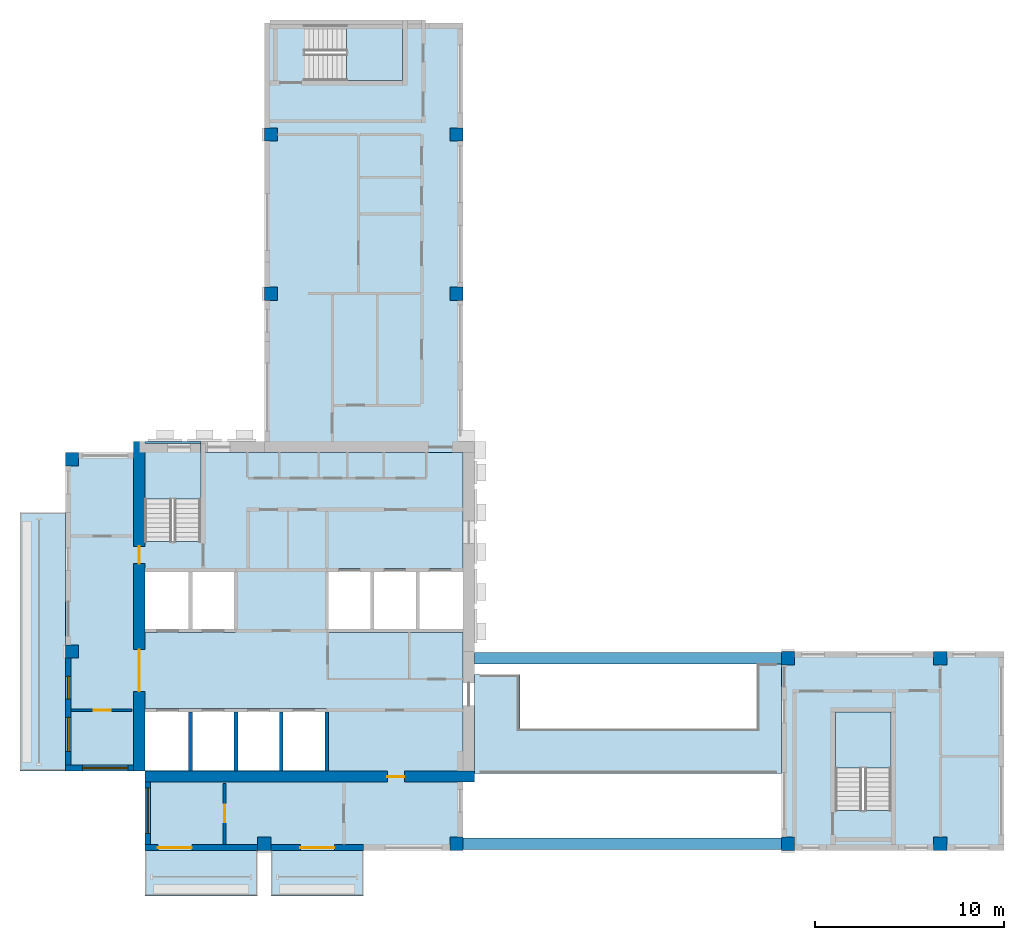
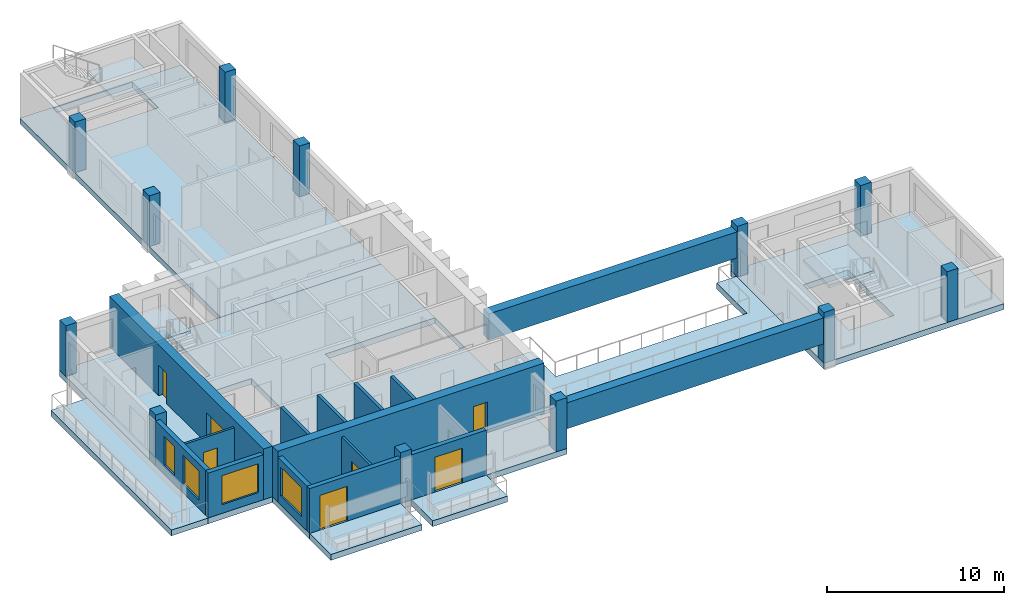
# One storey, part 1 of 9: 13 walls, 12 columns, 11 slabs, 7 doors, 4 windows, 2 beams, 11 openings, 3 elements without a shape of their own.
"""IFC4 building model written with IfcOpenShell, lengths in metres."""

from ifc_helpers import new_model, si_unit, direction, frame, frame_2d, origin, origin_2d, place, context, subcontext, project, spatial, polyline, rectangle, outline, extrude, source, transform, mapped, material, layer, layer_set, material_profile, profile_set, type_object, element, fill, aggregate, save


model = new_model("IFC4")

# Units and contexts
model_context = context("Model", 3, precision=1e-05, world=origin(), true_north=direction((0.0, 1.0)))
body_context = subcontext(model_context, "Body", "Model", "MODEL_VIEW")
ifc_project = project(units=[si_unit("LENGTHUNIT", "METRE"), si_unit("AREAUNIT", "SQUARE_METRE"), si_unit("VOLUMEUNIT", "CUBIC_METRE"), si_unit("PLANEANGLEUNIT", "RADIAN"), si_unit("MASSUNIT", "GRAM", prefix="KILO")], contexts=[model_context])

# Site, building, storey
site_placement = place(None, origin())
site = spatial("IfcSite", under=ifc_project, at=site_placement, CompositionType="ELEMENT")
building_placement = place(site_placement, origin())
building = spatial("IfcBuilding", under=site, at=building_placement, Name="Aurelian Terraces", CompositionType="ELEMENT")
storey_placement = place(building_placement, frame((0.0, 0.0, 305.5)))
storey = spatial("IfcBuildingStorey", under=building, at=storey_placement, Name="L70", CompositionType="ELEMENT", Elevation=305.5)

# Columns
ifc_material_1 = material(Name="Concrete fc' 55 MPa", Category="concrete")
ifc_material_profile_1 = material_profile(ifc_material_1, rectangle(XDim=0.7, YDim=0.7, at=origin_2d()))
ifc_profile_set_1 = profile_set([ifc_material_profile_1], Name="Concrete fc' 55 MPa")
column_type = type_object("IfcColumnType", Name="RC COLUMN 700X700 FC55", PredefinedType="COLUMN", material=ifc_profile_set_1)
shared_shape_1 = source(origin(), body_context, "Body", "SweptSolid", [
    extrude(rectangle(XDim=0.7, YDim=0.7, at=origin_2d()), origin(), (0.0, 0.0, 1.0), 3.5),
])
for number, where, z_axis, x_axis, name in (
    (1, (10.5, 0.35, 0.0), (0.0, 0.0, 1.0), (1.0, 0.0, 0.0), "Column 2/A L70"),
    (2, (20.65, 0.35, 0.0), (0.0, 0.0, 1.0), (1.0, 0.0, 0.0), "Column 3/A L70"),
    (3, (38.15, 0.35, 0.0), (0.0, 0.0, 1.0), (1.0, 0.0, 0.0), "Column 5/A L70"),
    (4, (46.2, 0.35, 0.0), (0.0, 0.0, 1.0), (1.0, 0.0, 0.0), "Column 6/A L70"),
    (5, (0.35, 10.5, 0.0), (0.0, 0.0, 1.0), (1.0, 0.0, 0.0), "Column 1/B L70"),
    (6, (38.15, 10.15, 0.0), (0.0, 0.0, 1.0), (1.0, 0.0, 0.0), "Column 5/B L70"),
    (7, (46.2, 10.15, 0.0), (0.0, 0.0, 1.0), (1.0, 0.0, 0.0), "Column 6/B L70"),
    (8, (0.35, 20.65, 0.0), (0.0, 0.0, 1.0), (1.0, 0.0, 0.0), "Column 1/C L70"),
    (9, (10.85, 29.4, 0.0), (0.0, 0.0, 1.0), (1.0, 0.0, 0.0), "Column 2/D L70"),
    (10, (20.65, 29.4, 0.0), (0.0, 0.0, 1.0), (1.0, 0.0, 0.0), "Column 3/D L70"),
    (11, (10.85, 37.8, 0.0), (0.0, 0.0, 1.0), (1.0, 0.0, 0.0), "Column 2/E L70"),
    (12, (20.65, 37.8, 0.0), (0.0, 0.0, 1.0), (1.0, 0.0, 0.0), "Column 3/E L70"),
):
    element("IfcColumn", number, at=place(storey_placement, frame(where, z_axis=z_axis, x_axis=x_axis)), inside=storey, type_object=column_type, Name=name, PredefinedType="COLUMN", context=body_context, shape_type="MappedRepresentation", body=[
        mapped(shared_shape_1, transform((0.0, 0.0, 0.0), scale=1.0)),
    ])

# Beams
ifc_material_2 = material(Name="Concrete fc' 70 MPa", Category="concrete")
ifc_material_profile_2 = material_profile(ifc_material_2, rectangle(XDim=0.6, YDim=1.8, at=origin_2d()))
ifc_profile_set_2 = profile_set([ifc_material_profile_2], Name="Concrete fc' 70 MPa")
beam_type = type_object("IfcBeamType", Name="CONCRETE HEAD GIRDER 600X1800", PredefinedType="BEAM", material=ifc_profile_set_2)
shared_shape_2 = source(origin(), body_context, "Body", "SweptSolid", [
    extrude(rectangle(XDim=0.6, YDim=1.8, at=origin_2d()), origin(), (0.0, 0.0, 1.0), 16.8),
])
beam_1_placement = place(storey_placement, frame((21.0, 0.35, 2.2), z_axis=(1.0, 0.0, 0.0), x_axis=(0.0, 1.0, 0.0)))
element("IfcBeam", 13, at=beam_1_placement, inside=storey, type_object=beam_type, Name="Sky terrace head girder BLADE-S.1", PredefinedType="BEAM", context=body_context, shape_type="MappedRepresentation", body=[
    mapped(shared_shape_2, transform((0.0, 0.0, 0.0), scale=1.0)),
])
shared_shape_3 = source(origin(), body_context, "Body", "SweptSolid", [
    extrude(rectangle(XDim=0.6, YDim=1.8, at=origin_2d()), origin(), (0.0, 0.0, 1.0), 16.2),
])
beam_2_placement = place(storey_placement, frame((21.6, 10.15, 2.2), z_axis=(1.0, 0.0, 0.0), x_axis=(0.0, 1.0, 0.0)))
element("IfcBeam", 14, at=beam_2_placement, inside=storey, type_object=beam_type, Name="Sky terrace head girder BLADE-S.2", PredefinedType="BEAM", context=body_context, shape_type="MappedRepresentation", body=[
    mapped(shared_shape_3, transform((0.0, 0.0, 0.0), scale=1.0)),
])

# Slabs
ifc_material_3 = material(Name="Concrete fc' 40 MPa", Category="concrete")
ifc_layer_1 = layer(ifc_material_3, 0.4001)
ifc_layer_set_1 = layer_set([ifc_layer_1], Name="Terrace slab 400")
slab_type_1 = type_object("IfcSlabType", Name="Terrace slab 400", PredefinedType="NOTDEFINED", material=ifc_layer_set_1)
slab_1_placement = place(storey_placement, frame((0.0, 0.0, -0.4001)))
element("IfcSlab", 15, at=slab_1_placement, inside=storey, type_object=slab_type_1, Name="Sky bridge L70 BLADE-S-B70", PredefinedType="NOTDEFINED", context=body_context, shape_type="SweptSolid", body=[
    extrude(outline(polyline([(37.8, 4.05), (36.5, 4.05), (24.0, 4.05), (21.6, 4.05), (21.6, 6.45), (21.6, 9.3), (24.0, 9.3), (24.0, 6.45), (36.5, 6.45), (36.5, 9.9), (37.8, 9.9), (37.8, 6.45), (37.8, 4.05)])), origin(), (0.0, 0.0, 1.0), 0.4001),
])
ifc_layer_2 = layer(ifc_material_3, 0.4)
ifc_layer_set_2 = layer_set([ifc_layer_2], Name="PT FLAT PLATE 400")
slab_type_2 = type_object("IfcSlabType", Name="PT FLAT PLATE 400", PredefinedType="FLOOR", material=ifc_layer_set_2)
shared_shape_4 = source(origin(), body_context, "Body", "SweptSolid", [
    extrude(outline(polyline([(10.5, 43.68), (14.7, 43.68), (16.8, 43.68), (21.0, 43.68), (21.0, 21.0), (10.5, 21.0), (10.5, 43.68)]), holes=[polyline([(17.79, 43.59), (12.61, 43.59), (12.61, 40.66), (17.79, 40.66), (17.79, 43.59)])]), origin(), (0.0, 0.0, 1.0), 0.4),
])
slab_2_placement = place(storey_placement, frame((0.0, 0.0, -0.4)))
element("IfcSlab", 16, at=slab_2_placement, inside=storey, type_object=slab_type_2, Name="Floor slab W L70", PredefinedType="FLOOR", context=body_context, shape_type="MappedRepresentation", body=[
    mapped(shared_shape_4, transform((0.0, 0.0, 0.0), scale=1.0)),
])
shared_shape_5 = source(origin(), body_context, "Body", "SweptSolid", [
    extrude(outline(polyline([(4.2, 21.0), (4.2, 21.6), (7.15, 21.6), (7.15, 21.0), (7.14, 21.0), (7.14, 21.49), (4.21, 21.49), (4.21, 21.0), (4.2, 21.0)])), origin(), (0.0, 0.0, 1.0), 0.4),
])
slab_3_placement = place(storey_placement, frame((0.0, 0.0, -0.4)))
element("IfcSlab", 17, at=slab_3_placement, inside=storey, type_object=slab_type_2, Name="Floor slab W2 L70", PredefinedType="FLOOR", context=body_context, shape_type="MappedRepresentation", body=[
    mapped(shared_shape_5, transform((0.0, 0.0, 0.0), scale=1.0)),
])
shared_shape_6 = source(origin(), body_context, "Body", "SweptSolid", [
    extrude(outline(polyline([(4.2, 4.2), (0.0, 4.2), (0.0, 10.5), (0.0, 21.0), (4.21, 21.0), (4.21, 16.31), (7.14, 16.31), (7.14, 21.0), (21.0, 21.0), (21.0, 10.5), (21.0, 0.0), (4.2, 0.0), (4.2, 4.2)]), holes=[polyline([(13.81, 14.89), (13.81, 11.51), (20.99, 11.51), (20.99, 14.89), (13.81, 14.89)]), polyline([(4.21, 7.49), (4.21, 4.21), (13.79, 4.21), (13.79, 7.49), (4.21, 7.49)]), polyline([(8.99, 11.51), (8.99, 14.89), (4.21, 14.89), (4.21, 11.51), (8.99, 11.51)])]), origin(), (0.0, 0.0, 1.0), 0.4),
])
slab_4_placement = place(storey_placement, frame((0.0, 0.0, -0.4)))
element("IfcSlab", 18, at=slab_4_placement, inside=storey, type_object=slab_type_2, Name="Floor slab S L70", PredefinedType="FLOOR", context=body_context, shape_type="MappedRepresentation", body=[
    mapped(shared_shape_6, transform((0.0, 0.0, 0.0), scale=1.0)),
])
shared_shape_7 = source(origin(), body_context, "Body", "SweptSolid", [
    extrude(outline(polyline([(37.8, 10.5), (49.56, 10.5), (49.56, 6.3), (49.56, 4.2), (49.56, 0.0), (37.8, 0.0), (37.8, 10.5)]), holes=[polyline([(40.66, 2.11), (43.59, 2.11), (43.59, 7.29), (40.66, 7.29), (40.66, 2.11)])]), origin(), (0.0, 0.0, 1.0), 0.4),
])
slab_5_placement = place(storey_placement, frame((0.0, 0.0, -0.4)))
element("IfcSlab", 19, at=slab_5_placement, inside=storey, type_object=slab_type_2, Name="Floor slab S2 L70", PredefinedType="FLOOR", context=body_context, shape_type="MappedRepresentation", body=[
    mapped(shared_shape_7, transform((0.0, 0.0, 0.0), scale=1.0)),
])
ifc_layer_3 = layer(ifc_material_3, 0.4)
ifc_layer_set_3 = layer_set([ifc_layer_3], Name="Balcony slab 400")
slab_type_3 = type_object("IfcSlabType", Name="Balcony slab 400", PredefinedType="NOTDEFINED", material=ifc_layer_set_3)
shared_shape_8 = source(origin(), body_context, "Body", "SweptSolid", [
    extrude(outline(polyline([(0.0, 17.85), (0.0, 4.2), (-2.4, 4.2), (-2.4, 17.85), (0.0, 17.85)])), origin(), (0.0, 0.0, 1.0), 0.4),
])
slab_6_placement = place(storey_placement, frame((0.0, 0.0, -0.4)))
element("IfcSlab", 20, at=slab_6_placement, inside=storey, type_object=slab_type_3, Name="Balcony slab L70 F10.20", PredefinedType="NOTDEFINED", context=body_context, shape_type="MappedRepresentation", body=[
    mapped(shared_shape_8, transform((0.0, 0.0, 0.0), scale=1.0)),
])
shared_shape_9 = source(origin(), body_context, "Body", "SweptSolid", [
    extrude(outline(polyline([(4.2, 0.0), (10.15, 0.0), (10.15, -2.4), (4.2, -2.4), (4.2, 0.0)])), origin(), (0.0, 0.0, 1.0), 0.4),
])
slab_7_placement = place(storey_placement, frame((0.0, 0.0, -0.4)))
element("IfcSlab", 21, at=slab_7_placement, inside=storey, type_object=slab_type_3, Name="Balcony slab L70 F01.1", PredefinedType="NOTDEFINED", context=body_context, shape_type="MappedRepresentation", body=[
    mapped(shared_shape_9, transform((0.0, 0.0, 0.0), scale=1.0)),
])
shared_shape_10 = source(origin(), body_context, "Body", "SweptSolid", [
    extrude(outline(polyline([(10.85, 0.0), (15.75, 0.0), (15.75, -2.4), (10.85, -2.4), (10.85, 0.0)])), origin(), (0.0, 0.0, 1.0), 0.4),
])
slab_8_placement = place(storey_placement, frame((0.0, 0.0, -0.4)))
element("IfcSlab", 22, at=slab_8_placement, inside=storey, type_object=slab_type_3, Name="Balcony slab L70 F01.2", PredefinedType="NOTDEFINED", context=body_context, shape_type="MappedRepresentation", body=[
    mapped(shared_shape_10, transform((0.0, 0.0, 0.0), scale=1.0)),
])

# Stair, slab
stair_type = type_object("IfcStairType", Name="Stair 1400", PredefinedType="HALF_TURN_STAIR", material=ifc_material_3)
stair_1_placement = place(storey_placement, origin())
stair_1 = element("IfcStair", 23, at=stair_1_placement, inside=storey, type_object=stair_type, Name="L70 S1", PredefinedType="HALF_TURN_STAIR")
ifc_layer_4 = layer(ifc_material_3, 0.2)
ifc_layer_set_4 = layer_set([ifc_layer_4], Name="Stair landing 200")
slab_type_4 = type_object("IfcSlabType", Name="Stair landing 200", PredefinedType="LANDING", material=ifc_layer_set_4)
shared_shape_11 = source(origin(), body_context, "Body", "SweptSolid", [
    extrude(outline(polyline([(7.15, 18.55), (7.15, 21.5), (4.2, 21.5), (4.2, 18.55), (7.15, 18.55)])), origin(), (0.0, 0.0, 1.0), 0.2),
])
slab_9_placement = place(storey_placement, frame((0.0, 0.0, 1.55)))
slab_9 = element("IfcSlab", 24, at=slab_9_placement, type_object=slab_type_4, Name="S1 landing 1", PredefinedType="LANDING", context=body_context, shape_type="MappedRepresentation", body=[
    mapped(shared_shape_11, transform((0.0, 0.0, 0.0), scale=1.0)),
])
aggregate(stair_1, [slab_9])

stair_2_placement = place(storey_placement, origin())
stair_2 = element("IfcStair", 25, at=stair_2_placement, inside=storey, type_object=stair_type, Name="L70 S2", PredefinedType="HALF_TURN_STAIR")
shared_shape_12 = source(origin(), body_context, "Body", "SweptSolid", [
    extrude(outline(polyline([(43.6, 4.35), (43.6, 7.3), (40.65, 7.3), (40.65, 4.35), (43.6, 4.35)])), origin(), (0.0, 0.0, 1.0), 0.2),
])
slab_10_placement = place(storey_placement, frame((0.0, 0.0, 1.55)))
slab_10 = element("IfcSlab", 26, at=slab_10_placement, type_object=slab_type_4, Name="S2 landing 1", PredefinedType="LANDING", context=body_context, shape_type="MappedRepresentation", body=[
    mapped(shared_shape_12, transform((0.0, 0.0, 0.0), scale=1.0)),
])
aggregate(stair_2, [slab_10])

stair_3_placement = place(storey_placement, origin())
stair_3 = element("IfcStair", 27, at=stair_3_placement, inside=storey, type_object=stair_type, Name="L70 S3U", PredefinedType="HALF_TURN_STAIR")
shared_shape_13 = source(origin(), body_context, "Body", "SweptSolid", [
    extrude(outline(polyline([(14.85, 40.65), (17.8, 40.65), (17.8, 43.6), (14.85, 43.6), (14.85, 40.65)])), origin(), (0.0, 0.0, 1.0), 0.2),
])
slab_11_placement = place(storey_placement, frame((0.0, 0.0, 1.55)))
slab_11 = element("IfcSlab", 28, at=slab_11_placement, type_object=slab_type_4, Name="S3U landing 1", PredefinedType="LANDING", context=body_context, shape_type="MappedRepresentation", body=[
    mapped(shared_shape_13, transform((0.0, 0.0, 0.0), scale=1.0)),
])
aggregate(stair_3, [slab_11])

# Wall, openings, doors
ifc_layer_5 = layer(ifc_material_1, 0.6)
ifc_layer_set_5 = layer_set([ifc_layer_5], Name="CORE WALL 600 FC55")
wall_type_1 = type_object("IfcWallType", Name="CORE WALL 600 FC55", PredefinedType="SHEAR", material=ifc_layer_set_5)
shared_shape_14 = source(origin(), body_context, "Body", "SweptSolid", [
    extrude(rectangle(XDim=17.4, YDim=0.6, at=frame_2d((8.7, 0.0))), origin(), (0.0, 0.0, 1.0), 3.5),
])
wall_1_placement = place(storey_placement, frame((3.9, 4.2, 0.0), z_axis=(0.0, 0.0, 1.0), x_axis=(0.0, 1.0, 0.0)))
wall_1 = element("IfcWall", 29, at=wall_1_placement, inside=storey, type_object=wall_type_1, Name="Core wall W L70", PredefinedType="SHEAR", context=body_context, shape_type="MappedRepresentation", body=[
    mapped(shared_shape_14, transform((0.0, 0.0, 0.0), scale=1.0)),
])
shared_shape_15 = source(origin(), body_context, "Body", "SweptSolid", [
    extrude(rectangle(XDim=2.2, YDim=2.1, at=frame_2d((1.1, 1.05))), frame((0.0, 0.31, 0.0), z_axis=(0.0, -1.0, 0.0), x_axis=(1.0, 0.0, 0.0)), (0.0, 0.0, 1.0), 0.62),
])
opening_1_placement = place(wall_1_placement, frame((4.2, 0.0, 0.0)))
opening_1 = element("IfcOpeningElement", 30, at=opening_1_placement, cuts=wall_1, Name="Opening 67328", PredefinedType="OPENING", context=body_context, shape_type="MappedRepresentation", body=[
    mapped(shared_shape_15, transform((0.0, 0.0, 0.0), scale=1.0)),
])
shared_shape_16 = source(origin(), body_context, "Body", "SweptSolid", [
    extrude(rectangle(XDim=0.9, YDim=2.1, at=frame_2d((0.45, 1.05))), frame((0.0, 0.31, 0.0), z_axis=(0.0, -1.0, 0.0), x_axis=(1.0, 0.0, 0.0)), (0.0, 0.0, 1.0), 0.62),
])
opening_2_placement = place(wall_1_placement, frame((10.95, 0.0, 0.0)))
opening_2 = element("IfcOpeningElement", 31, at=opening_2_placement, cuts=wall_1, Name="Opening 67332", PredefinedType="OPENING", context=body_context, shape_type="MappedRepresentation", body=[
    mapped(shared_shape_16, transform((0.0, 0.0, 0.0), scale=1.0)),
])
ifc_material_4 = material(Name="Steel door leaf", Category="steel")
door_type_1 = type_object("IfcDoorType", Name="Core service door 900x2100 right", OperationType="SINGLE_SWING_RIGHT", PredefinedType="DOOR", material=ifc_material_4)
shared_shape_17 = source(origin(), body_context, "Body", "SweptSolid", [
    extrude(rectangle(XDim=0.9, YDim=2.1, at=frame_2d((0.45, 1.05))), frame((0.0, 0.025, 0.0), z_axis=(0.0, -1.0, 0.0), x_axis=(1.0, 0.0, 0.0)), (0.0, 0.0, 1.0), 0.05),
])
door_1_placement = place(opening_2_placement, origin())
door_1 = element("IfcDoor", 32, at=door_1_placement, inside=storey, type_object=door_type_1, Name="Core door 67332", OperationType="SINGLE_SWING_RIGHT", OverallHeight=2.1, OverallWidth=0.9, PredefinedType="DOOR", context=body_context, shape_type="MappedRepresentation", body=[
    mapped(shared_shape_17, transform((0.0, 0.0, 0.0), scale=1.0)),
])
fill(opening_2, door_1)
door_type_2 = type_object("IfcDoorType", Name="Core double door 2200x2100", OperationType="DOUBLE_DOOR_SINGLE_SWING", PredefinedType="DOOR", material=ifc_material_4)
shared_shape_18 = source(origin(), body_context, "Body", "SweptSolid", [
    extrude(rectangle(XDim=2.2, YDim=2.1, at=frame_2d((1.1, 1.05))), frame((0.0, 0.025, 0.0), z_axis=(0.0, -1.0, 0.0), x_axis=(1.0, 0.0, 0.0)), (0.0, 0.0, 1.0), 0.05),
])
door_2_placement = place(opening_1_placement, origin())
door_2 = element("IfcDoor", 33, at=door_2_placement, inside=storey, type_object=door_type_2, Name="Core door 67328", OperationType="DOUBLE_DOOR_SINGLE_SWING", OverallHeight=2.1, OverallWidth=2.2, PredefinedType="DOOR", context=body_context, shape_type="MappedRepresentation", body=[
    mapped(shared_shape_18, transform((0.0, 0.0, 0.0), scale=1.0)),
])
fill(opening_1, door_2)

# Wall, opening, door
wall_2_placement = place(storey_placement, frame((4.2, 3.9, 0.0), z_axis=(0.0, 0.0, 1.0), x_axis=(1.0, 0.0, 0.0)))
wall_2 = element("IfcWall", 34, at=wall_2_placement, inside=storey, type_object=wall_type_1, Name="Core wall S L70", PredefinedType="SHEAR", context=body_context, shape_type="MappedRepresentation", body=[
    mapped(shared_shape_14, transform((0.0, 0.0, 0.0), scale=1.0)),
])
opening_3_placement = place(wall_2_placement, frame((12.8, 0.0, 0.0)))
opening_3 = element("IfcOpeningElement", 35, at=opening_3_placement, cuts=wall_2, Name="Opening 67331", PredefinedType="OPENING", context=body_context, shape_type="MappedRepresentation", body=[
    mapped(shared_shape_16, transform((0.0, 0.0, 0.0), scale=1.0)),
])
door_type_3 = type_object("IfcDoorType", Name="Core service door 900x2100", OperationType="SINGLE_SWING_LEFT", PredefinedType="DOOR", material=ifc_material_4)
door_3_placement = place(opening_3_placement, origin())
door_3 = element("IfcDoor", 36, at=door_3_placement, inside=storey, type_object=door_type_3, Name="Core door 67331", OperationType="SINGLE_SWING_LEFT", OverallHeight=2.1, OverallWidth=0.9, PredefinedType="DOOR", context=body_context, shape_type="MappedRepresentation", body=[
    mapped(shared_shape_17, transform((0.0, 0.0, 0.0), scale=1.0)),
])
fill(opening_3, door_3)

# Wall, opening, window
ifc_material_5 = material(Name="Terracotta rainscreen cladding", Category="masonry")
ifc_layer_6 = layer(ifc_material_5, 0.3)
ifc_layer_set_6 = layer_set([ifc_layer_6], Name="EW-300")
wall_type_2 = type_object("IfcWallType", Name="EW-300", PredefinedType="STANDARD", material=ifc_layer_set_6)
shared_shape_19 = source(origin(), body_context, "Body", "SweptSolid", [
    extrude(rectangle(XDim=3.6, YDim=0.3, at=frame_2d((1.8, 0.0))), origin(), (0.0, 0.0, 1.0), 3.1),
])
wall_3_placement = place(storey_placement, frame((0.0, 4.35, 0.0), z_axis=(0.0, 0.0, 1.0), x_axis=(1.0, 0.0, 0.0)))
wall_3 = element("IfcWall", 37, at=wall_3_placement, inside=storey, type_object=wall_type_2, Name="External wall L70 F11.21", PredefinedType="STANDARD", context=body_context, shape_type="MappedRepresentation", body=[
    mapped(shared_shape_19, transform((0.0, 0.0, 0.0), scale=1.0)),
])
shared_shape_20 = source(origin(), body_context, "Body", "SweptSolid", [
    extrude(rectangle(XDim=2.4, YDim=2.0, at=frame_2d((1.2, 1.0))), frame((0.0, 0.16, 0.0), z_axis=(0.0, -1.0, 0.0), x_axis=(1.0, 0.0, 0.0)), (0.0, 0.0, 1.0), 0.32),
])
opening_4_placement = place(wall_3_placement, frame((0.9, 0.0, 0.6)))
opening_4 = element("IfcOpeningElement", 38, at=opening_4_placement, cuts=wall_3, Name="Opening W2420", PredefinedType="OPENING", context=body_context, shape_type="MappedRepresentation", body=[
    mapped(shared_shape_20, transform((0.0, 0.0, 0.0), scale=1.0)),
])
ifc_material_6 = material(Name="Clear glazing", Category="glass")
window_type_1 = type_object("IfcWindowType", Name="W-2400x2000", PartitioningType="SINGLE_PANEL", PredefinedType="WINDOW", material=ifc_material_6)
shared_shape_21 = source(origin(), body_context, "Body", "SweptSolid", [
    extrude(rectangle(XDim=2.4, YDim=2.0, at=frame_2d((1.2, 1.0))), frame((0.0, 0.03, 0.0), z_axis=(0.0, -1.0, 0.0), x_axis=(1.0, 0.0, 0.0)), (0.0, 0.0, 1.0), 0.06),
])
window_1_placement = place(opening_4_placement, origin())
window_1 = element("IfcWindow", 39, at=window_1_placement, inside=storey, type_object=window_type_1, Name="Window L70 L70-F11-21-0", OverallHeight=2.0, OverallWidth=2.4, PartitioningType="SINGLE_PANEL", PredefinedType="WINDOW", context=body_context, shape_type="MappedRepresentation", body=[
    mapped(shared_shape_21, transform((0.0, 0.0, 0.0), scale=1.0)),
])
fill(opening_4, window_1)

wall_4_placement = place(storey_placement, frame((4.35, 3.6, 0.0), z_axis=(0.0, 0.0, 1.0), x_axis=(0.0, -1.0, 0.0)))
wall_4 = element("IfcWall", 40, at=wall_4_placement, inside=storey, type_object=wall_type_2, Name="External wall L70 F12.22", PredefinedType="STANDARD", context=body_context, shape_type="MappedRepresentation", body=[
    mapped(shared_shape_19, transform((0.0, 0.0, 0.0), scale=1.0)),
])
opening_5_placement = place(wall_4_placement, frame((0.3, 0.0, 0.6)))
opening_5 = element("IfcOpeningElement", 41, at=opening_5_placement, cuts=wall_4, Name="Opening W2420", PredefinedType="OPENING", context=body_context, shape_type="MappedRepresentation", body=[
    mapped(shared_shape_20, transform((0.0, 0.0, 0.0), scale=1.0)),
])
window_2_placement = place(opening_5_placement, origin())
window_2 = element("IfcWindow", 42, at=window_2_placement, inside=storey, type_object=window_type_1, Name="Window L70 L70-F12-22-0", OverallHeight=2.0, OverallWidth=2.4, PartitioningType="SINGLE_PANEL", PredefinedType="WINDOW", context=body_context, shape_type="MappedRepresentation", body=[
    mapped(shared_shape_21, transform((0.0, 0.0, 0.0), scale=1.0)),
])
fill(opening_5, window_2)

# Wall, opening, door
shared_shape_22 = source(origin(), body_context, "Body", "SweptSolid", [
    extrude(rectangle(XDim=5.95, YDim=0.3, at=frame_2d((2.975, 0.0))), origin(), (0.0, 0.0, 1.0), 3.1),
])
wall_5_placement = place(storey_placement, frame((4.2, 0.15, 0.0), z_axis=(0.0, 0.0, 1.0), x_axis=(1.0, 0.0, 0.0)))
wall_5 = element("IfcWall", 43, at=wall_5_placement, inside=storey, type_object=wall_type_2, Name="External wall L70 F01.1", PredefinedType="STANDARD", context=body_context, shape_type="MappedRepresentation", body=[
    mapped(shared_shape_22, transform((0.0, 0.0, 0.0), scale=1.0)),
])
shared_shape_23 = source(origin(), body_context, "Body", "SweptSolid", [
    extrude(rectangle(XDim=1.8, YDim=2.4, at=frame_2d((0.9, 1.2))), frame((0.0, 0.16, 0.0), z_axis=(0.0, -1.0, 0.0), x_axis=(1.0, 0.0, 0.0)), (0.0, 0.0, 1.0), 0.32),
])
opening_6_placement = place(wall_5_placement, frame((0.675, 0.0, 0.0)))
opening_6 = element("IfcOpeningElement", 44, at=opening_6_placement, cuts=wall_5, Name="Opening 87001", PredefinedType="OPENING", context=body_context, shape_type="MappedRepresentation", body=[
    mapped(shared_shape_23, transform((0.0, 0.0, 0.0), scale=1.0)),
])
door_type_4 = type_object("IfcDoorType", Name="BD-1800x2400", OperationType="SLIDING_TO_LEFT", PredefinedType="DOOR", material=ifc_material_6)
shared_shape_24 = source(origin(), body_context, "Body", "SweptSolid", [
    extrude(rectangle(XDim=1.8, YDim=2.4, at=frame_2d((0.9, 1.2))), frame((0.0, 0.025, 0.0), z_axis=(0.0, -1.0, 0.0), x_axis=(1.0, 0.0, 0.0)), (0.0, 0.0, 1.0), 0.05),
])
door_4_placement = place(opening_6_placement, origin())
door_4 = element("IfcDoor", 45, at=door_4_placement, inside=storey, type_object=door_type_4, Name="Balcony door L70 F01.1", OperationType="SLIDING_TO_LEFT", OverallHeight=2.4, OverallWidth=1.8, PredefinedType="DOOR", context=body_context, shape_type="MappedRepresentation", body=[
    mapped(shared_shape_24, transform((0.0, 0.0, 0.0), scale=1.0)),
])
fill(opening_6, door_4)

# Wall, openings, windows
wall_6_placement = place(storey_placement, frame((0.15, 10.15, 0.0), z_axis=(0.0, 0.0, 1.0), x_axis=(0.0, -1.0, 0.0)))
wall_6 = element("IfcWall", 46, at=wall_6_placement, inside=storey, type_object=wall_type_2, Name="External wall L70 F10.20", PredefinedType="STANDARD", context=body_context, shape_type="MappedRepresentation", body=[
    mapped(shared_shape_22, transform((0.0, 0.0, 0.0), scale=1.0)),
])
shared_shape_25 = source(origin(), body_context, "Body", "SweptSolid", [
    extrude(rectangle(XDim=1.8, YDim=2.0, at=frame_2d((0.9, 1.0))), frame((0.0, 0.16, 0.0), z_axis=(0.0, -1.0, 0.0), x_axis=(1.0, 0.0, 0.0)), (0.0, 0.0, 1.0), 0.32),
])
opening_7_placement = place(wall_6_placement, frame((3.125, 0.0, 0.6)))
opening_7 = element("IfcOpeningElement", 47, at=opening_7_placement, cuts=wall_6, Name="Opening W1820", PredefinedType="OPENING", context=body_context, shape_type="MappedRepresentation", body=[
    mapped(shared_shape_25, transform((0.0, 0.0, 0.0), scale=1.0)),
])
shared_shape_26 = source(origin(), body_context, "Body", "SweptSolid", [
    extrude(rectangle(XDim=1.2, YDim=2.0, at=frame_2d((0.6, 1.0))), frame((0.0, 0.16, 0.0), z_axis=(0.0, -1.0, 0.0), x_axis=(1.0, 0.0, 0.0)), (0.0, 0.0, 1.0), 0.32),
])
opening_8_placement = place(wall_6_placement, frame((0.9625, 0.0, 0.6)))
opening_8 = element("IfcOpeningElement", 48, at=opening_8_placement, cuts=wall_6, Name="Opening W1220", PredefinedType="OPENING", context=body_context, shape_type="MappedRepresentation", body=[
    mapped(shared_shape_26, transform((0.0, 0.0, 0.0), scale=1.0)),
])
window_type_2 = type_object("IfcWindowType", Name="W-1200x2000", PartitioningType="SINGLE_PANEL", PredefinedType="WINDOW", material=ifc_material_6)
shared_shape_27 = source(origin(), body_context, "Body", "SweptSolid", [
    extrude(rectangle(XDim=1.2, YDim=2.0, at=frame_2d((0.6, 1.0))), frame((0.0, 0.03, 0.0), z_axis=(0.0, -1.0, 0.0), x_axis=(1.0, 0.0, 0.0)), (0.0, 0.0, 1.0), 0.06),
])
window_3_placement = place(opening_8_placement, origin())
window_3 = element("IfcWindow", 49, at=window_3_placement, inside=storey, type_object=window_type_2, Name="Window L70 L70-F10-20-G1-77", OverallHeight=2.0, OverallWidth=1.2, PartitioningType="SINGLE_PANEL", PredefinedType="WINDOW", context=body_context, shape_type="MappedRepresentation", body=[
    mapped(shared_shape_27, transform((0.0, 0.0, 0.0), scale=1.0)),
])
fill(opening_8, window_3)
window_type_3 = type_object("IfcWindowType", Name="W-1800x2000", PartitioningType="SINGLE_PANEL", PredefinedType="WINDOW", material=ifc_material_6)
shared_shape_28 = source(origin(), body_context, "Body", "SweptSolid", [
    extrude(rectangle(XDim=1.8, YDim=2.0, at=frame_2d((0.9, 1.0))), frame((0.0, 0.03, 0.0), z_axis=(0.0, -1.0, 0.0), x_axis=(1.0, 0.0, 0.0)), (0.0, 0.0, 1.0), 0.06),
])
window_4_placement = place(opening_7_placement, origin())
window_4 = element("IfcWindow", 50, at=window_4_placement, inside=storey, type_object=window_type_3, Name="Window L70 L70-F10-20-2", OverallHeight=2.0, OverallWidth=1.8, PartitioningType="SINGLE_PANEL", PredefinedType="WINDOW", context=body_context, shape_type="MappedRepresentation", body=[
    mapped(shared_shape_28, transform((0.0, 0.0, 0.0), scale=1.0)),
])
fill(opening_7, window_4)

# Wall, opening, door
shared_shape_29 = source(origin(), body_context, "Body", "SweptSolid", [
    extrude(rectangle(XDim=4.9, YDim=0.3, at=frame_2d((2.45, 0.0))), origin(), (0.0, 0.0, 1.0), 3.1),
])
wall_7_placement = place(storey_placement, frame((10.85, 0.15, 0.0), z_axis=(0.0, 0.0, 1.0), x_axis=(1.0, 0.0, 0.0)))
wall_7 = element("IfcWall", 51, at=wall_7_placement, inside=storey, type_object=wall_type_2, Name="External wall L70 F01.2", PredefinedType="STANDARD", context=body_context, shape_type="MappedRepresentation", body=[
    mapped(shared_shape_29, transform((0.0, 0.0, 0.0), scale=1.0)),
])
opening_9_placement = place(wall_7_placement, frame((1.55, 0.0, 0.0)))
opening_9 = element("IfcOpeningElement", 52, at=opening_9_placement, cuts=wall_7, Name="Opening 87002", PredefinedType="OPENING", context=body_context, shape_type="MappedRepresentation", body=[
    mapped(shared_shape_23, transform((0.0, 0.0, 0.0), scale=1.0)),
])
door_5_placement = place(opening_9_placement, origin())
door_5 = element("IfcDoor", 53, at=door_5_placement, inside=storey, type_object=door_type_4, Name="Balcony door L70 F01.2", OperationType="SLIDING_TO_LEFT", OverallHeight=2.4, OverallWidth=1.8, PredefinedType="DOOR", context=body_context, shape_type="MappedRepresentation", body=[
    mapped(shared_shape_24, transform((0.0, 0.0, 0.0), scale=1.0)),
])
fill(opening_9, door_5)

# Walls
ifc_layer_7 = layer(ifc_material_3, 0.2)
ifc_layer_set_7 = layer_set([ifc_layer_7], Name="Lift shaft wall 200")
wall_type_3 = type_object("IfcWallType", Name="Lift shaft wall 200", PredefinedType="SOLIDWALL", material=ifc_layer_set_7)
shared_shape_30 = source(origin(), body_context, "Body", "SweptSolid", [
    extrude(rectangle(XDim=3.1, YDim=0.2, at=frame_2d((1.55, 0.0))), origin(), (0.0, 0.0, 1.0), 3.5),
])
for number, where, z_axis, x_axis, name in (
    (54, (6.6, 4.2, 0.0), (0.0, 0.0, 1.0), (0.0, 1.0, 0.0), "L70 core wall CD-A1"),
    (55, (9.0, 4.2, 0.0), (0.0, 0.0, 1.0), (0.0, 1.0, 0.0), "L70 core wall CD-A2"),
    (56, (11.4, 4.2, 0.0), (0.0, 0.0, 1.0), (0.0, 1.0, 0.0), "L70 core wall CD-A3"),
):
    element("IfcWall", number, at=place(storey_placement, frame(where, z_axis=z_axis, x_axis=x_axis)), inside=storey, type_object=wall_type_3, Name=name, PredefinedType="SOLIDWALL", context=body_context, shape_type="MappedRepresentation", body=[
        mapped(shared_shape_30, transform((0.0, 0.0, 0.0), scale=1.0)),
    ])
shared_shape_31 = source(origin(), body_context, "Body", "SweptSolid", [
    extrude(rectangle(XDim=3.1, YDim=0.2, at=frame_2d((1.55, 0.0))), origin(), (0.0, 0.0, 1.0), 3.1),
])
wall_8_placement = place(storey_placement, frame((13.8, 4.2, 0.0), z_axis=(0.0, 0.0, 1.0), x_axis=(0.0, 1.0, 0.0)))
element("IfcWall", 57, at=wall_8_placement, inside=storey, type_object=wall_type_3, Name="L70 core wall CD-A4", PredefinedType="SOLIDWALL", context=body_context, shape_type="MappedRepresentation", body=[
    mapped(shared_shape_31, transform((0.0, 0.0, 0.0), scale=1.0)),
])

# Wall, opening, door
ifc_material_7 = material(Name="Gypsum board on steel studs", Category="steel")
ifc_layer_8 = layer(ifc_material_7, 0.15)
ifc_layer_set_8 = layer_set([ifc_layer_8], Name="Partition 150")
wall_type_4 = type_object("IfcWallType", Name="Partition 150", PredefinedType="PARTITIONING", material=ifc_layer_set_8)
shared_shape_32 = source(origin(), body_context, "Body", "SweptSolid", [
    extrude(rectangle(XDim=3.225, YDim=0.15, at=frame_2d((1.6125, 0.0))), origin(), (0.0, 0.0, 1.0), 3.1),
])
wall_9_placement = place(storey_placement, frame((8.4, 3.525, 0.0), z_axis=(0.0, 0.0, 1.0), x_axis=(0.0, -1.0, 0.0)))
wall_9 = element("IfcWall", 58, at=wall_9_placement, inside=storey, type_object=wall_type_4, Name="Partition", PredefinedType="PARTITIONING", context=body_context, shape_type="MappedRepresentation", body=[
    mapped(shared_shape_32, transform((0.0, 0.0, 0.0), scale=1.0)),
])
shared_shape_33 = source(origin(), body_context, "Body", "SweptSolid", [
    extrude(rectangle(XDim=0.9, YDim=2.1, at=frame_2d((0.45, 1.05))), frame((0.0, 0.085, 0.0), z_axis=(0.0, -1.0, 0.0), x_axis=(1.0, 0.0, 0.0)), (0.0, 0.0, 1.0), 0.17),
])
opening_10_placement = place(wall_9_placement, frame((1.125, 0.0, 0.0)))
opening_10 = element("IfcOpeningElement", 59, at=opening_10_placement, cuts=wall_9, Name="Opening 770001", PredefinedType="OPENING", context=body_context, shape_type="MappedRepresentation", body=[
    mapped(shared_shape_33, transform((0.0, 0.0, 0.0), scale=1.0)),
])
ifc_material_8 = material(Name="Timber door leaf", Category="wood")
door_type_5 = type_object("IfcDoorType", Name="Room door 900x2100 right", OperationType="SINGLE_SWING_RIGHT", PredefinedType="DOOR", material=ifc_material_8)
door_6_placement = place(opening_10_placement, origin())
door_6 = element("IfcDoor", 60, at=door_6_placement, inside=storey, type_object=door_type_5, Name="Door 770001", OperationType="SINGLE_SWING_RIGHT", OverallHeight=2.1, OverallWidth=0.9, PredefinedType="DOOR", context=body_context, shape_type="MappedRepresentation", body=[
    mapped(shared_shape_17, transform((0.0, 0.0, 0.0), scale=1.0)),
])
fill(opening_10, door_6)

wall_10_placement = place(storey_placement, frame((0.3, 7.4, 0.0), z_axis=(0.0, 0.0, 1.0), x_axis=(1.0, 0.0, 0.0)))
wall_10 = element("IfcWall", 61, at=wall_10_placement, inside=storey, type_object=wall_type_4, Name="Partition", PredefinedType="PARTITIONING", context=body_context, shape_type="MappedRepresentation", body=[
    mapped(shared_shape_32, transform((0.0, 0.0, 0.0), scale=1.0)),
])
opening_11_placement = place(wall_10_placement, frame((1.2, 0.0, 0.0)))
opening_11 = element("IfcOpeningElement", 62, at=opening_11_placement, cuts=wall_10, Name="Opening 770006", PredefinedType="OPENING", context=body_context, shape_type="MappedRepresentation", body=[
    mapped(shared_shape_33, transform((0.0, 0.0, 0.0), scale=1.0)),
])
door_7_placement = place(opening_11_placement, origin())
door_7 = element("IfcDoor", 63, at=door_7_placement, inside=storey, type_object=door_type_5, Name="Door 770006", OperationType="SINGLE_SWING_RIGHT", OverallHeight=2.1, OverallWidth=0.9, PredefinedType="DOOR", context=body_context, shape_type="MappedRepresentation", body=[
    mapped(shared_shape_17, transform((0.0, 0.0, 0.0), scale=1.0)),
])
fill(opening_11, door_7)

save(model, "model.ifc")
